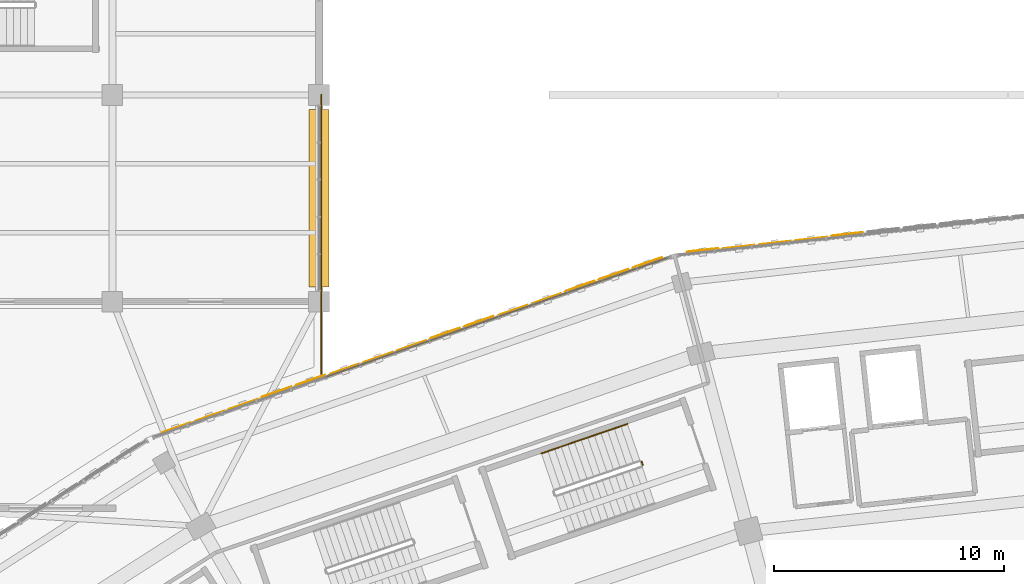
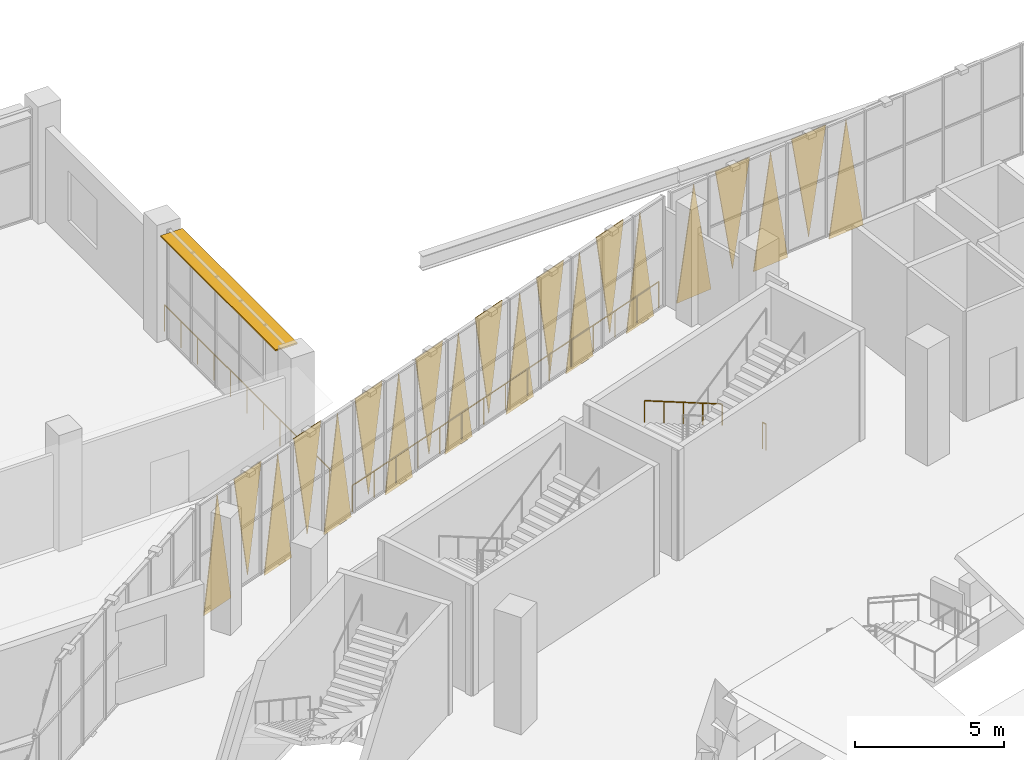
# One storey, part 168 of 183: 20 coverings, 4 railings, 1 shading device.
"""IFC4 building model written with IfcOpenShell, lengths in metres."""

from ifc_helpers import new_model, si_unit, direction, frame, origin, origin_2d, place, context, subcontext, project, spatial, polyline, rectangle, circle, outline, extrude, material, layer, layer_set, type_object, element, save


model = new_model("IFC4")

# Units and contexts
model_context = context("Model", 3, precision=1e-05, world=origin(), true_north=direction((0.0, 1.0)))
body_context = subcontext(model_context, "Body", "Model", "MODEL_VIEW")
ifc_project = project(units=[si_unit("LENGTHUNIT", "METRE"), si_unit("AREAUNIT", "SQUARE_METRE"), si_unit("VOLUMEUNIT", "CUBIC_METRE"), si_unit("PLANEANGLEUNIT", "RADIAN"), si_unit("MASSUNIT", "GRAM", prefix="KILO")], contexts=[model_context])

# Site, building, storey
site_placement = place(None, origin())
site = spatial("IfcSite", under=ifc_project, at=site_placement, CompositionType="ELEMENT")
building_placement = place(site_placement, origin())
building = spatial("IfcBuilding", under=site, at=building_placement, Name="Zevraka Park Crest Stadium", CompositionType="ELEMENT")
storey_placement = place(building_placement, frame((0.0, 0.0, 5.39990234375)))
storey = spatial("IfcBuildingStorey", under=building, at=storey_placement, Name="L01", CompositionType="ELEMENT", Elevation=5.39990234375)

# Coverings
ifc_material_1 = material(Name="Architectural golden-bronze perforated aluminium", Category="aluminium")
ifc_layer_1 = layer(ifc_material_1, 0.034912109375)
ifc_layer_set_1 = layer_set([ifc_layer_1], Name="Architectural golden-bronze perforated aluminium")
covering_type = type_object("IfcCoveringType", Name="CLD01", PredefinedType="CLADDING", material=ifc_layer_set_1)
covering_1_placement = place(storey_placement, frame((95.7119140625, 169.9951171875, -0.260009765625), z_axis=(0.110281163702, -0.993900425664, 9.3792513e-05), x_axis=(-0.993900430036, -0.110281164187, 0.0)))
element("IfcCovering", 1, at=covering_1_placement, inside=storey, type_object=covering_type, Name="Triangular Golden-Bronze Perforated Cladding L01-06-11", PredefinedType="CLADDING", context=body_context, shape_type="SweptSolid", body=[
    extrude(outline(polyline([(0.0, 0.0), (1.42568827286739, -3.3881317890172014e-21), (0.7123049852646407, -4.600097676483612), (0.0, 0.0)])), origin(), (0.0, 0.0, -1.0), 0.034912109375),
])
covering_2_placement = place(storey_placement, frame((92.718994140625, 169.6630859375, 4.5), z_axis=(-0.110111997724, 0.993919183185, 7.2484585e-05), x_axis=(0.993919185796, 0.110111998013, 0.0)))
element("IfcCovering", 2, at=covering_2_placement, inside=storey, type_object=covering_type, Name="Triangular Golden-Bronze Perforated Cladding L01-06-12", PredefinedType="CLADDING", context=body_context, shape_type="SweptSolid", body=[
    extrude(outline(polyline([(0.0, 0.0), (1.4256613694050126, -1.6940658945086007e-21), (0.7133563210229682, 4.279785167493028), (0.0, 0.0)])), origin(), (0.0, 0.0, -1.0), 0.034912109375),
])
covering_3_placement = place(storey_placement, frame((92.56005859375, 169.64599609375, -0.260009765625), z_axis=(-0.110111996878, 0.993919175554, 0.000143563419), x_axis=(-0.993919185796, -0.110111998013, 0.0)))
element("IfcCovering", 3, at=covering_3_placement, inside=storey, type_object=covering_type, Name="Triangular Golden-Bronze Perforated Cladding L01-06-13", PredefinedType="CLADDING", context=body_context, shape_type="SweptSolid", body=[
    extrude(outline(polyline([(0.0, 0.0), (1.4256613694050126, -3.3881317890172014e-21), (0.712412579630104, 4.600097703655054), (0.0, 0.0)])), origin(), (0.0, 0.0, -1.0), 0.034912109375),
])
covering_4_placement = place(storey_placement, frame((89.56689453125, 169.31396484375, 4.5), z_axis=(-0.110111996702, 0.993919173963, 0.000154308153), x_axis=(0.993919185796, 0.110111998013, 0.0)))
element("IfcCovering", 4, at=covering_4_placement, inside=storey, type_object=covering_type, Name="Triangular Golden-Bronze Perforated Cladding L01-06-14", PredefinedType="CLADDING", context=body_context, shape_type="SweptSolid", body=[
    extrude(outline(polyline([(0.0, 0.0), (1.4256613694050126, -3.3881317890172014e-21), (0.712412579630104, 4.279785207202997), (0.0, 0.0)])), origin(), (0.0, 0.0, -1.0), 0.034912109375),
])
covering_5_placement = place(storey_placement, frame((89.407958984375, 169.2958984375, -0.260009765625), z_axis=(0.110111996878, -0.993919175554, 0.000143563419), x_axis=(-0.993919185796, -0.110111998013, 0.0)))
element("IfcCovering", 5, at=covering_5_placement, inside=storey, type_object=covering_type, Name="Triangular Golden-Bronze Perforated Cladding L01-06-15", PredefinedType="CLADDING", context=body_context, shape_type="SweptSolid", body=[
    extrude(outline(polyline([(0.0, 0.0), (1.4256613694050126, -3.3881317890172014e-21), (0.7132487897749087, -4.600097703655054), (0.0, 0.0)])), origin(), (0.0, 0.0, -1.0), 0.034912109375),
])
covering_6_placement = place(storey_placement, frame((86.964111328125, 168.906982421875, -0.260009765625), z_axis=(0.329687784051, -0.944090018554, 4.3743735e-05), x_axis=(-0.944090019458, -0.329687784367, 0.0)))
element("IfcCovering", 6, at=covering_6_placement, inside=storey, type_object=covering_type, Name="Triangular Golden-Bronze Perforated Cladding L01-07-1", PredefinedType="CLADDING", context=body_context, shape_type="SweptSolid", body=[
    extrude(outline(polyline([(0.0, 0.0), (1.395140976738379, -3.3881317890172014e-21), (0.698146715187706, -4.600097660651176), (0.0, 0.0)])), origin(), (0.0, 0.0, -1.0), 0.034912109375),
])
covering_7_placement = place(storey_placement, frame((84.178955078125, 167.93603515625, 4.5), z_axis=(0.329063674373, -0.94430772513, 0.000135893381), x_axis=(0.94430773385, 0.329063677412, 0.0)))
element("IfcCovering", 7, at=covering_7_placement, inside=storey, type_object=covering_type, Name="Triangular Golden-Bronze Perforated Cladding L01-07-2", PredefinedType="CLADDING", context=body_context, shape_type="SweptSolid", body=[
    extrude(outline(polyline([(0.0, 0.0), (1.3948193207160489, -1.3552527156068805e-20), (0.6975948005547897, -4.2797851957674204), (0.0, 0.0)])), origin(), (0.0, 0.0, -1.0), 0.034912109375),
])
covering_8_placement = place(storey_placement, frame((84.028076171875, 167.883056640625, -0.260009765625), z_axis=(0.329281369478, -0.944231841946, 9.1488324e-05), x_axis=(-0.944231845897, -0.329281370856, 0.0)))
element("IfcCovering", 8, at=covering_8_placement, inside=storey, type_object=covering_type, Name="Triangular Golden-Bronze Perforated Cladding L01-07-3", PredefinedType="CLADDING", context=body_context, shape_type="SweptSolid", body=[
    extrude(outline(polyline([(0.0, 0.0), (1.3938971822371224, 0.0), (0.6966725465226966, -4.60009767550167), (0.0, 0.0)])), origin(), (0.0, 0.0, -1.0), 0.034912109375),
])
covering_9_placement = place(storey_placement, frame((81.243896484375, 166.912109375, 4.5), z_axis=(-0.329063674373, 0.94430772513, 0.000135893381), x_axis=(0.94430773385, 0.329063677412, 0.0)))
element("IfcCovering", 9, at=covering_9_placement, inside=storey, type_object=covering_type, Name="Triangular Golden-Bronze Perforated Cladding L01-07-4", PredefinedType="CLADDING", context=body_context, shape_type="SweptSolid", body=[
    extrude(outline(polyline([(0.0, 0.0), (1.3948193207160489, -1.3552527156068805e-20), (0.6972245201612591, 4.2797851957674204), (0.0, 0.0)])), origin(), (0.0, 0.0, -1.0), 0.034912109375),
])
covering_10_placement = place(storey_placement, frame((81.093017578125, 166.860107421875, -0.260009765625), z_axis=(-0.329491998785, 0.944158359092, 0.000125273108), x_axis=(-0.9441583665, -0.329492001371, 0.0)))
element("IfcCovering", 10, at=covering_10_placement, inside=storey, type_object=covering_type, Name="Triangular Golden-Bronze Perforated Cladding L01-07-5", PredefinedType="CLADDING", context=body_context, shape_type="SweptSolid", body=[
    extrude(outline(polyline([(0.0, 0.0), (1.3937470825233202, 6.776263578034403e-21), (0.6970746472195279, 4.600097692345475), (0.0, 0.0)])), origin(), (0.0, 0.0, -1.0), 0.034912109375),
])
covering_11_placement = place(storey_placement, frame((78.30908203125, 165.888916015625, 4.5), z_axis=(0.329335834581, -0.94421284489, 0.000107725367), x_axis=(0.944212850369, 0.329335836492, 0.0)))
element("IfcCovering", 11, at=covering_11_placement, inside=storey, type_object=covering_type, Name="Triangular Golden-Bronze Perforated Cladding L01-07-6", PredefinedType="CLADDING", context=body_context, shape_type="SweptSolid", body=[
    extrude(outline(polyline([(0.0, 0.0), (1.3936666592027187, 0.0), (0.696672521087447, -4.2797851810829295), (0.0, 0.0)])), origin(), (0.0, 0.0, -1.0), 0.034912109375),
])
covering_12_placement = place(storey_placement, frame((78.157958984375, 165.8359375, -0.260009765625), z_axis=(0.329118074721, -0.944288773961, 6.5297813e-05), x_axis=(-0.944288775974, -0.329118075423, 0.0)))
element("IfcCovering", 12, at=covering_12_placement, inside=storey, type_object=covering_type, Name="Triangular Golden-Bronze Perforated Cladding L01-07-7", PredefinedType="CLADDING", context=body_context, shape_type="SweptSolid", body=[
    extrude(outline(polyline([(0.0, 0.0), (1.394588779149717, 3.3881317890172014e-21), (0.6966726088857, -4.600097666056959), (0.0, 0.0)])), origin(), (0.0, 0.0, -1.0), 0.034912109375),
])
covering_13_placement = place(storey_placement, frame((75.3740234375, 164.864990234375, 4.5), z_axis=(-0.329960333753, 0.943994797734, 0.0), x_axis=(0.943994797734, 0.329960333753, 0.0)))
element("IfcCovering", 13, at=covering_13_placement, inside=storey, type_object=covering_type, Name="Triangular Golden-Bronze Perforated Cladding L01-07-8", PredefinedType="CLADDING", context=body_context, shape_type="SweptSolid", body=[
    extrude(outline(polyline([(0.0, 0.0), (1.3939885811960602, 0.0), (0.6969942905980301, 4.27978515625), (0.0, 0.0)])), origin(), (0.0, 0.0, -1.0), 0.034912109375),
])
covering_14_placement = place(storey_placement, frame((75.222900390625, 164.81298828125, -0.260009765625), z_axis=(-0.329118074721, 0.944288773961, 6.5297813e-05), x_axis=(-0.944288775974, -0.329118075423, 0.0)))
element("IfcCovering", 14, at=covering_14_placement, inside=storey, type_object=covering_type, Name="Triangular Golden-Bronze Perforated Cladding L01-07-9", PredefinedType="CLADDING", context=body_context, shape_type="SweptSolid", body=[
    extrude(outline(polyline([(0.0, 0.0), (1.394588779149717, 3.3881317890172014e-21), (0.697916170264017, 4.600097666056959), (0.0, 0.0)])), origin(), (0.0, 0.0, -1.0), 0.034912109375),
])
covering_15_placement = place(storey_placement, frame((72.43896484375, 163.842041015625, 4.5), z_axis=(-0.329335834581, 0.94421284489, 0.000107725367), x_axis=(0.944212850369, 0.329335836492, 0.0)))
element("IfcCovering", 15, at=covering_15_placement, inside=storey, type_object=covering_type, Name="Triangular Golden-Bronze Perforated Cladding L01-07-10", PredefinedType="CLADDING", context=body_context, shape_type="SweptSolid", body=[
    extrude(outline(polyline([(0.0, 0.0), (1.3936666592027187, 0.0), (0.6969941381152717, 4.2797851810829295), (0.0, 0.0)])), origin(), (0.0, 0.0, -1.0), 0.034912109375),
])
covering_16_placement = place(storey_placement, frame((72.287109375, 163.7890625, -0.260009765625), z_axis=(0.329281368902, -0.944231840292, 0.000108964248), x_axis=(-0.944231845897, -0.329281370856, 0.0)))
element("IfcCovering", 16, at=covering_16_placement, inside=storey, type_object=covering_type, Name="Triangular Golden-Bronze Perforated Cladding L01-07-11", PredefinedType="CLADDING", context=body_context, shape_type="SweptSolid", body=[
    extrude(outline(polyline([(0.0, 0.0), (1.3938971822371224, -6.776263578034403e-21), (0.696903071875699, -4.600097683558957), (0.0, 0.0)])), origin(), (0.0, 0.0, -1.0), 0.034912109375),
])
covering_17_placement = place(storey_placement, frame((69.5029296875, 162.819091796875, 4.5), z_axis=(0.329063673476, -0.944307722555, 0.000154664839), x_axis=(0.94430773385, 0.329063677412, 0.0)))
element("IfcCovering", 17, at=covering_17_placement, inside=storey, type_object=covering_type, Name="Triangular Golden-Bronze Perforated Cladding L01-07-12", PredefinedType="CLADDING", context=body_context, shape_type="SweptSolid", body=[
    extrude(outline(polyline([(0.0, 0.0), (1.3948193207160489, 0.0), (0.697825344435124, -4.279785207438826), (0.0, 0.0)])), origin(), (0.0, 0.0, -1.0), 0.034912109375),
])
covering_18_placement = place(storey_placement, frame((69.35205078125, 162.76611328125, -0.260009765625), z_axis=(-0.329437513237, 0.944177370472, 0.000134017736), x_axis=(-0.944177378951, -0.329437516195, 0.0)))
element("IfcCovering", 18, at=covering_18_placement, inside=storey, type_object=covering_type, Name="Triangular Golden-Bronze Perforated Cladding L01-07-13", PredefinedType="CLADDING", context=body_context, shape_type="SweptSolid", body=[
    extrude(outline(polyline([(0.0, 0.0), (1.3939775922580644, 0.0), (0.6970746128040839, 4.60009769756061), (0.0, 0.0)])), origin(), (0.0, 0.0, -1.0), 0.034912109375),
])
covering_19_placement = place(storey_placement, frame((66.568115234375, 161.794921875, 4.5), z_axis=(-0.329118071949, 0.944288766008, 0.000145283153), x_axis=(0.944288775974, 0.329118075423, 0.0)))
element("IfcCovering", 19, at=covering_19_placement, inside=storey, type_object=covering_type, Name="Triangular Golden-Bronze Perforated Cladding L01-07-14", PredefinedType="CLADDING", context=body_context, shape_type="SweptSolid", body=[
    extrude(outline(polyline([(0.0, 0.0), (1.394588779149717, 0.0), (0.6969940132562301, 4.27978520141713), (0.0, 0.0)])), origin(), (0.0, 0.0, -1.0), 0.034912109375),
])
covering_20_placement = place(storey_placement, frame((66.4169921875, 161.742919921875, -0.260009765625), z_axis=(-0.329742260213, 0.944070993413, 3.5000771e-05), x_axis=(-0.944070993992, -0.329742260415, 0.0)))
element("IfcCovering", 20, at=covering_20_placement, inside=storey, type_object=covering_type, Name="Triangular Golden-Bronze Perforated Cladding L01-07-15", PredefinedType="CLADDING", context=body_context, shape_type="SweptSolid", body=[
    extrude(outline(polyline([(0.0, 0.0), (1.394910488333225, 0.0), (0.6969942720015776, 4.600097659067684), (0.0, 0.0)])), origin(), (0.0, 0.0, -1.0), 0.034912109375),
])

# Railings
ifc_material_2 = material(Name="Galvanised and bronze-finished steel balustrade", Category="steel")
railing_type_1 = type_object("IfcRailingType", Name="GR01", PredefinedType="GUARDRAIL", material=ifc_material_2)
railing_1_placement = place(storey_placement, frame((72.10498046875, 176.009033203125, 0.0)))
element("IfcRailing", 21, at=railing_1_placement, inside=storey, type_object=railing_type_1, Name="Deck Edge Protection Guardrail GR01 L01-5", PredefinedType="GUARDRAIL", context=body_context, shape_type="SweptSolid", body=[
    extrude(circle(Radius=0.02392578125, at=origin_2d()), frame((0.0, 0.0, 1.076171875), z_axis=(0.0, -1.0, 0.0), x_axis=(1.0, 0.0, 0.0)), (0.0, 0.0, 1.0), 12.174072265625),
    extrude(circle(Radius=0.02099609375, at=origin_2d()), origin(), (0.0, 0.0, 1.0), 1.052001953125),
    extrude(circle(Radius=0.02099609375, at=origin_2d()), frame((0.0, -1.106689453125, 0.0)), (0.0, 0.0, 1.0), 1.052001953125),
    extrude(circle(Radius=0.02099609375, at=origin_2d()), frame((0.0, -2.21337890625, 0.0)), (0.0, 0.0, 1.0), 1.052001953125),
    extrude(circle(Radius=0.02099609375, at=origin_2d()), frame((0.0, -3.3203125, 0.0)), (0.0, 0.0, 1.0), 1.052001953125),
    extrude(circle(Radius=0.02099609375, at=origin_2d()), frame((0.0, -4.427001953125, 0.0)), (0.0, 0.0, 1.0), 1.052001953125),
    extrude(circle(Radius=0.02099609375, at=origin_2d()), frame((0.0, -5.53369140625, 0.0)), (0.0, 0.0, 1.0), 1.052001953125),
    extrude(circle(Radius=0.02099609375, at=origin_2d()), frame((0.0, -6.640380859375, 0.0)), (0.0, 0.0, 1.0), 1.052001953125),
    extrude(circle(Radius=0.02099609375, at=origin_2d()), frame((0.0, -7.7470703125, 0.0)), (0.0, 0.0, 1.0), 1.052001953125),
    extrude(circle(Radius=0.02099609375, at=origin_2d()), frame((0.0, -8.853759765625, 0.0)), (0.0, 0.0, 1.0), 1.052001953125),
    extrude(circle(Radius=0.02099609375, at=origin_2d()), frame((0.0, -9.960693359375, 0.0)), (0.0, 0.0, 1.0), 1.052001953125),
    extrude(circle(Radius=0.02099609375, at=origin_2d()), frame((0.0, -11.0673828125, 0.0)), (0.0, 0.0, 1.0), 1.052001953125),
    extrude(circle(Radius=0.02099609375, at=origin_2d()), frame((0.0, -12.174072265625, 0.0)), (0.0, 0.0, 1.0), 1.052001953125),
])
railing_2_placement = place(storey_placement, frame((72.278076171875, 163.7119140625, 0.0)))
element("IfcRailing", 22, at=railing_2_placement, inside=storey, type_object=railing_type_1, Name="Deck Edge Protection Guardrail GR01 L01-6", PredefinedType="GUARDRAIL", context=body_context, shape_type="SweptSolid", body=[
    extrude(circle(Radius=0.02392578125, at=origin_2d()), frame((0.0, 0.0, 1.076171875), z_axis=(0.944242660248, 0.329250358492, 0.0), x_axis=(-0.329250358492, 0.944242660248, 0.0)), (0.0, 0.0, 1.0), 15.7509765625),
    extrude(circle(Radius=0.02099609375, at=origin_2d()), origin(), (0.0, 0.0, 1.0), 1.052001953125),
    extrude(circle(Radius=0.02099609375, at=origin_2d()), frame((1.062255859375, 0.370361328125, 0.0)), (0.0, 0.0, 1.0), 1.052001953125),
    extrude(circle(Radius=0.02099609375, at=origin_2d()), frame((2.124755859375, 0.740966796875, 0.0)), (0.0, 0.0, 1.0), 1.052001953125),
    extrude(circle(Radius=0.02099609375, at=origin_2d()), frame((3.18701171875, 1.111328125, 0.0)), (0.0, 0.0, 1.0), 1.052001953125),
    extrude(circle(Radius=0.02099609375, at=origin_2d()), frame((4.249267578125, 1.481689453125, 0.0)), (0.0, 0.0, 1.0), 1.052001953125),
    extrude(circle(Radius=0.02099609375, at=origin_2d()), frame((5.311767578125, 1.85205078125, 0.0)), (0.0, 0.0, 1.0), 1.052001953125),
    extrude(circle(Radius=0.02099609375, at=origin_2d()), frame((6.3740234375, 2.22265625, 0.0)), (0.0, 0.0, 1.0), 1.052001953125),
    extrude(circle(Radius=0.02099609375, at=origin_2d()), frame((7.4365234375, 2.593017578125, 0.0)), (0.0, 0.0, 1.0), 1.052001953125),
    extrude(circle(Radius=0.02099609375, at=origin_2d()), frame((8.498779296875, 2.96337890625, 0.0)), (0.0, 0.0, 1.0), 1.052001953125),
    extrude(circle(Radius=0.02099609375, at=origin_2d()), frame((9.56103515625, 3.333984375, 0.0)), (0.0, 0.0, 1.0), 1.052001953125),
    extrude(circle(Radius=0.02099609375, at=origin_2d()), frame((10.62353515625, 3.704345703125, 0.0)), (0.0, 0.0, 1.0), 1.052001953125),
    extrude(circle(Radius=0.02099609375, at=origin_2d()), frame((11.685791015625, 4.07470703125, 0.0)), (0.0, 0.0, 1.0), 1.052001953125),
    extrude(circle(Radius=0.02099609375, at=origin_2d()), frame((12.748046875, 4.445068359375, 0.0)), (0.0, 0.0, 1.0), 1.052001953125),
    extrude(circle(Radius=0.02099609375, at=origin_2d()), frame((13.810546875, 4.815673828125, 0.0)), (0.0, 0.0, 1.0), 1.052001953125),
    extrude(circle(Radius=0.02099609375, at=origin_2d()), frame((14.872802734375, 5.18603515625, 0.0)), (0.0, 0.0, 1.0), 1.052001953125),
])
ifc_material_3 = material(Name="Powder-coated tubular steel stairwell guard", Category="steel")
railing_type_2 = type_object("IfcRailingType", Name="GR03", PredefinedType="GUARDRAIL", material=ifc_material_3)
railing_3_placement = place(storey_placement, frame((86.04736328125, 160.0322265625, 0.0)))
element("IfcRailing", 23, at=railing_3_placement, inside=storey, type_object=railing_type_2, Name="L01 ST08 stair guard 4", PredefinedType="GUARDRAIL", context=body_context, shape_type="SweptSolid", body=[
    extrude(circle(Radius=0.02392578125, at=origin_2d()), frame((0.0, 0.0, 1.076171875), z_axis=(0.32354385955, -0.946213174156, 0.0), x_axis=(0.946213174156, 0.32354385955, 0.0)), (0.0, 0.0, 1.0), 0.159912109375),
    extrude(circle(Radius=0.02099609375, at=origin_2d()), origin(), (0.0, 0.0, 1.0), 1.052001953125),
    extrude(circle(Radius=0.02099609375, at=origin_2d()), frame((0.0517578125, -0.1513671875, 0.0)), (0.0, 0.0, 1.0), 1.052001953125),
])
ifc_material_4 = material(Name="Brushed stainless steel continuous handrail", Category="steel")
railing_type_3 = type_object("IfcRailingType", Name="HR01", PredefinedType="HANDRAIL", material=ifc_material_4)
railing_4_placement = place(storey_placement, frame((85.43310546875, 161.671875, 0.171630859375)))
element("IfcRailing", 24, at=railing_4_placement, inside=storey, type_object=railing_type_3, Name="L01 ST08 stair handrail 1", PredefinedType="HANDRAIL", context=body_context, shape_type="SweptSolid", body=[
    extrude(circle(Radius=0.02392578125, at=origin_2d()), frame((0.0, 0.0, 0.8759765625), z_axis=(-0.824726794133, -0.282441418206, 0.489951589772), x_axis=(0.32399372979, -0.946059228091, 0.0)), (0.0, 0.0, 1.0), 4.54833984375),
    extrude(circle(Radius=0.02099609375, at=origin_2d()), origin(), (0.0, 0.0, 1.0), 0.851806640625),
    extrude(circle(Radius=0.02099609375, at=origin_2d()), frame((-0.937744140625, -0.3212890625, 0.55712890625)), (0.0, 0.0, 1.0), 0.851806640625),
    extrude(circle(Radius=0.02099609375, at=origin_2d()), frame((-1.87548828125, -0.642333984375, 1.1142578125)), (0.0, 0.0, 1.0), 0.851806640625),
    extrude(circle(Radius=0.02099609375, at=origin_2d()), frame((-2.8134765625, -0.96337890625, 1.67138671875)), (0.0, 0.0, 1.0), 0.851806640625),
    extrude(circle(Radius=0.02099609375, at=origin_2d()), frame((-3.751220703125, -1.28466796875, 2.228515625)), (0.0, 0.0, 1.0), 0.851806640625),
])

# Shading device
ifc_material_5 = material(Name="Architectural golden-bronze anodised bronze", Category="aluminium")
ifc_layer_2 = layer(ifc_material_5, 0.06005859375)
ifc_layer_set_2 = layer_set([ifc_layer_2], Name="Architectural golden-bronze anodised bronze")
shading_device_type = type_object("IfcShadingDeviceType", Name="SHD01", PredefinedType="USERDEFINED", material=ifc_layer_set_2)
shading_device_placement = place(storey_placement, frame((72.0, 171.5, 4.440185546875), z_axis=(0.0, 0.0, 1.0), x_axis=(0.0, -1.0, 0.0)))
element("IfcShadingDevice", 25, at=shading_device_placement, inside=storey, type_object=shading_device_type, Name="Wing Bronze Solar Screen SHD01 L01-NW-E1-2", ObjectType="SOLAR SCREEN", PredefinedType="USERDEFINED", context=body_context, shape_type="SweptSolid", body=[
    extrude(rectangle(XDim=7.719970703125, YDim=0.85009765625, at=origin_2d()), origin(), (0.0, 0.0, 1.0), 0.06005859375),
])

save(model, "model.ifc")
